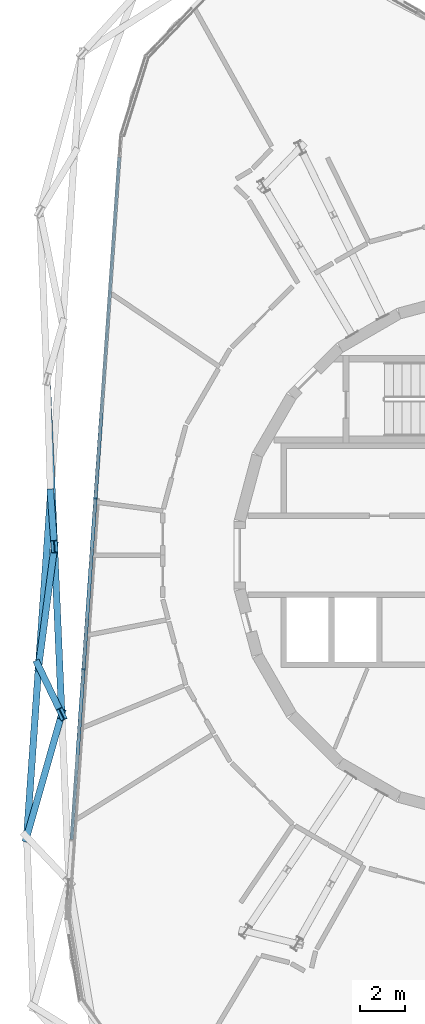
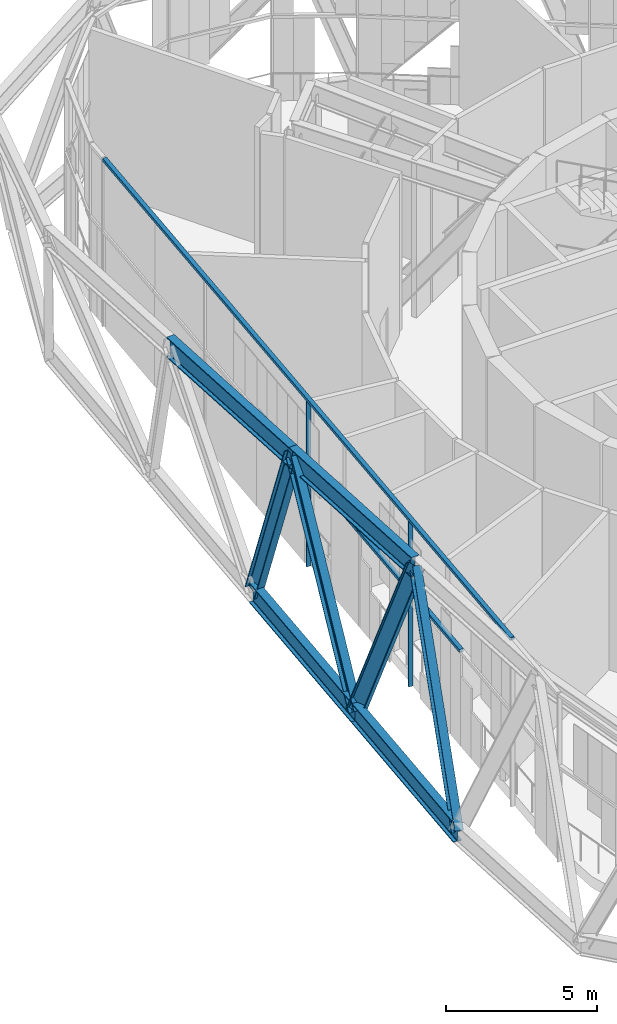
# One storey, part 3 of 24: 15 members, 1 element without a shape of its own.
"""IFC4 building model written with IfcOpenShell, lengths in metres."""

from ifc_helpers import new_model, si_unit, direction, frame, origin, origin_2d, place, context, subcontext, project, spatial, rectangle, i_section, extrude, material, layer, layer_set, material_profile, profile_set, type_object, element, aggregate, save


model = new_model("IFC4")

# Units and contexts
model_context = context("Model", 3, precision=1e-05, world=origin(), true_north=direction((0.0, 1.0)))
body_context = subcontext(model_context, "Body", "Model", "MODEL_VIEW")
ifc_project = project(units=[si_unit("LENGTHUNIT", "METRE"), si_unit("AREAUNIT", "SQUARE_METRE"), si_unit("VOLUMEUNIT", "CUBIC_METRE"), si_unit("PLANEANGLEUNIT", "RADIAN"), si_unit("MASSUNIT", "GRAM", prefix="KILO")], contexts=[model_context])

# Site, building, storey
site_placement = place(None, origin())
site = spatial("IfcSite", under=ifc_project, at=site_placement, CompositionType="ELEMENT")
building_placement = place(site_placement, origin())
building = spatial("IfcBuilding", under=site, at=building_placement, Name="Spindle Arch Residences", CompositionType="ELEMENT")
storey_placement = place(building_placement, frame((0.0, 0.0, 219.89990234375)))
storey = spatial("IfcBuildingStorey", under=building, at=storey_placement, Name="L56", CompositionType="ELEMENT", Elevation=219.89990234375)

# Members
ifc_material_1 = material(Name="Steel S460ML, intumescent coating R 240", Category="steel")
ifc_material_profile_1 = material_profile(ifc_material_1, i_section(OverallWidth=0.302978515625, OverallDepth=0.81396484375, WebThickness=0.02099609375, FlangeThickness=0.0400390625, FilletRadius=0.030029296875, at=origin_2d()), Name="HEM 800")
ifc_profile_set_1 = profile_set([ifc_material_profile_1], Name="Steel S460ML, intumescent coating R 240")
member_type_1 = type_object("IfcMemberType", Name="Belt truss chord HEM 800", PredefinedType="CHORD", material=ifc_profile_set_1)
member_1_placement = place(storey_placement, frame((-20.141845703125, 2.69384765625, -0.85693359375), z_axis=(-0.069778919569, -0.997562480441, 0.0), x_axis=(0.997562480441, -0.069778919569, 0.0)))
element("IfcMember", 1, at=member_1_placement, inside=storey, type_object=member_type_1, Name="Belt truss bottom chord L56.15", PredefinedType="CHORD", context=body_context, shape_type="SweptSolid", body=[
    extrude(i_section(OverallWidth=0.302978515625, OverallDepth=0.81396484375, WebThickness=0.02099609375, FlangeThickness=0.0400390625, FilletRadius=0.030029296875, at=origin_2d()), origin(), (0.0, 0.0, 1.0), 7.69384765625),
])
member_2_placement = place(storey_placement, frame((-20.6787109375, -4.981201171875, -0.85693359375), z_axis=(-0.069749549772, -0.997564534407, 0.0), x_axis=(0.997564534407, -0.069749549772, 0.0)))
element("IfcMember", 2, at=member_2_placement, inside=storey, type_object=member_type_1, Name="Belt truss bottom chord L56.16", PredefinedType="CHORD", context=body_context, shape_type="SweptSolid", body=[
    extrude(i_section(OverallWidth=0.302978515625, OverallDepth=0.81396484375, WebThickness=0.02099609375, FlangeThickness=0.0400390625, FilletRadius=0.030029296875, at=origin_2d()), origin(), (0.0, 0.0, 1.0), 7.693603515625),
])
for number, where, z_axis, x_axis, name in (
    (3, (-20.298583984375, 7.9072265625, 5.943115234375), (0.043607469261, -0.999048741866, 0.0), (0.999048741866, 0.043607469261, 0.0), "Belt truss top chord L56.14"),
    (4, (-19.97021484375, 0.38427734375, 5.943115234375), (0.043639829449, -0.999047328852, 0.0), (0.999047328852, 0.043639829449, 0.0), "Belt truss top chord L56.15"),
):
    element("IfcMember", number, at=place(storey_placement, frame(where, z_axis=z_axis, x_axis=x_axis)), inside=storey, type_object=member_type_1, Name=name, PredefinedType="CHORD", context=body_context, shape_type="SweptSolid", body=[
        extrude(i_section(OverallWidth=0.302978515625, OverallDepth=0.81396484375, WebThickness=0.02099609375, FlangeThickness=0.0400390625, FilletRadius=0.030029296875, at=origin_2d()), origin(), (0.0, 0.0, 1.0), 7.530029296875),
    ])
ifc_material_2 = material(Name="Steel S460ML, intumescent coating R 240", Category="steel")
ifc_material_profile_2 = material_profile(ifc_material_2, i_section(OverallWidth=0.300048828125, OverallDepth=0.60009765625, WebThickness=0.015380859375, FlangeThickness=0.030029296875, FilletRadius=0.027099609375, at=origin_2d()), Name="HEB 600")
ifc_profile_set_2 = profile_set([ifc_material_profile_2], Name="Steel S460ML, intumescent coating R 240")
member_type_2 = type_object("IfcMemberType", Name="Belt truss diagonal HEB 600", PredefinedType="BRACE", material=ifc_profile_set_2)
member_3_placement = place(storey_placement, frame((-20.141845703125, 2.69384765625, -0.85693359375), z_axis=(0.02389201065, -0.321505577168, 0.946606219965), x_axis=(0.997250180702, 0.074108549369, 0.0)))
element("IfcMember", 5, at=member_3_placement, inside=storey, type_object=member_type_2, Name="Belt truss diagonal L56.15.15", PredefinedType="BRACE", context=body_context, shape_type="SweptSolid", body=[
    extrude(i_section(OverallWidth=0.300048828125, OverallDepth=0.60009765625, WebThickness=0.015380859375, FlangeThickness=0.030029296875, FilletRadius=0.027099609375, at=origin_2d()), origin(), (0.0, 0.0, 1.0), 7.18359375),
])
member_4_placement = place(storey_placement, frame((-20.6787109375, -4.981201171875, -0.85693359375), z_axis=(0.081522008335, 0.617370495238, 0.782437111701), x_axis=(-0.991394155778, 0.130910763074, 0.0)))
element("IfcMember", 6, at=member_4_placement, inside=storey, type_object=member_type_2, Name="Belt truss diagonal L56.15.16", PredefinedType="BRACE", context=body_context, shape_type="SweptSolid", body=[
    extrude(i_section(OverallWidth=0.300048828125, OverallDepth=0.60009765625, WebThickness=0.015380859375, FlangeThickness=0.030029296875, FilletRadius=0.027099609375, at=origin_2d()), origin(), (0.0, 0.0, 1.0), 8.69091796875),
])
member_5_placement = place(storey_placement, frame((-20.6787109375, -4.981201171875, -0.85693359375), z_axis=(0.143861397605, -0.299270991205, 0.943260712689), x_axis=(0.90127463477, 0.433248234526, 0.0)))
element("IfcMember", 7, at=member_5_placement, inside=storey, type_object=member_type_2, Name="Belt truss diagonal L56.16.16", PredefinedType="BRACE", context=body_context, shape_type="SweptSolid", body=[
    extrude(i_section(OverallWidth=0.300048828125, OverallDepth=0.60009765625, WebThickness=0.015380859375, FlangeThickness=0.030029296875, FilletRadius=0.027099609375, at=origin_2d()), origin(), (0.0, 0.0, 1.0), 7.208984375),
])
member_6_placement = place(storey_placement, frame((-21.21533203125, -12.656005859375, -0.85693359375), z_axis=(0.176881420471, 0.620127710396, 0.764300062731), x_axis=(-0.961645890375, 0.274293969174, 0.0)))
element("IfcMember", 8, at=member_6_placement, inside=storey, type_object=member_type_2, Name="Belt truss diagonal L56.16.17", PredefinedType="BRACE", context=body_context, shape_type="SweptSolid", body=[
    extrude(i_section(OverallWidth=0.300048828125, OverallDepth=0.60009765625, WebThickness=0.015380859375, FlangeThickness=0.030029296875, FilletRadius=0.027099609375, at=origin_2d()), origin(), (0.0, 0.0, 1.0), 8.89697265625),
])

# Curtain wall, members
ifc_material_3 = material(Name="Aluminium bronze unitised frame with tinted glass", Category="aluminium")
ifc_layer = layer(ifc_material_3, 0.159912109375)
ifc_layer_set = layer_set([ifc_layer], Name="CW-E double-height winter garden wall")
curtain_wall_type = type_object("IfcCurtainWallType", Name="CW-E double-height winter garden wall", PredefinedType="NOTDEFINED", material=ifc_layer_set)
curtain_wall_placement = place(storey_placement, origin())
curtain_wall = element("IfcCurtainWall", 9, at=curtain_wall_placement, inside=storey, type_object=curtain_wall_type, Name="CW-E L56 run 4", PredefinedType="NOTDEFINED")
ifc_material_4 = material(Name="Aluminium bronze anodised mullion", Category="aluminium")
ifc_material_profile_3 = material_profile(ifc_material_4, rectangle(XDim=0.159912109375, YDim=0.06005859375, at=origin_2d()), Name="MU 60x160")
ifc_profile_set_3 = profile_set([ifc_material_profile_3], Name="Aluminium bronze anodised mullion")
member_type_3 = type_object("IfcMemberType", Name="Bronze mullion 60x160", PredefinedType="MULLION", material=ifc_profile_set_3)
member_7_placement = place(storey_placement, frame((-18.126708984375, 2.552978515625, -0.449951171875), z_axis=(0.0, 0.0, 1.0), x_axis=(0.99756405026, -0.069756473744, 0.0)))
member_7 = element("IfcMember", 10, at=member_7_placement, type_object=member_type_3, Name="CW-E mullion 14", PredefinedType="MULLION", context=body_context, shape_type="SweptSolid", body=[
    extrude(rectangle(XDim=0.159912109375, YDim=0.06005859375, at=origin_2d()), origin(), (0.0, 0.0, 1.0), 6.679931640625),
])
member_8_placement = place(storey_placement, frame((-18.66357421875, -5.1220703125, -0.449951171875), z_axis=(0.0, 0.0, 1.0), x_axis=(0.99756405026, -0.069756473744, 0.0)))
member_8 = element("IfcMember", 11, at=member_8_placement, type_object=member_type_3, Name="CW-E mullion 15", PredefinedType="MULLION", context=body_context, shape_type="SweptSolid", body=[
    extrude(rectangle(XDim=0.159912109375, YDim=0.06005859375, at=origin_2d()), origin(), (0.0, 0.0, 1.0), 6.679931640625),
])
ifc_material_5 = material(Name="Aluminium bronze anodised transom", Category="aluminium")
ifc_material_profile_4 = material_profile(ifc_material_5, rectangle(XDim=0.159912109375, YDim=0.1201171875, at=origin_2d()), Name="TR 120x160")
ifc_profile_set_4 = profile_set([ifc_material_profile_4], Name="Aluminium bronze anodised transom")
member_type_4 = type_object("IfcMemberType", Name="Bronze transom 120x160", PredefinedType="USERDEFINED", material=ifc_profile_set_4)
member_9_placement = place(storey_placement, frame((-17.0556640625, 17.873046875, 6.2900390625), z_axis=(-0.069748921728, -0.997564578319, 0.0), x_axis=(0.997564578319, -0.069748921728, 0.0)))
member_9 = element("IfcMember", 12, at=member_9_placement, type_object=member_type_4, Name="CW-E transom 00", ObjectType="TRANSOM", PredefinedType="USERDEFINED", context=body_context, shape_type="SweptSolid", body=[
    extrude(rectangle(XDim=0.159912109375, YDim=0.1201171875, at=origin_2d()), origin(), (0.0, 0.0, 1.0), 30.71484375),
])
member_10_placement = place(storey_placement, frame((-17.8583984375, 6.390380859375, 3.400146484375), z_axis=(-0.069787751977, -0.99756186258, 0.0), x_axis=(0.99756186258, -0.069787751977, 0.0)))
member_10 = element("IfcMember", 13, at=member_10_placement, type_object=member_type_4, Name="CW-E transom 13Bm", ObjectType="TRANSOM", PredefinedType="USERDEFINED", context=body_context, shape_type="SweptSolid", body=[
    extrude(rectangle(XDim=0.159912109375, YDim=0.1201171875, at=origin_2d()), origin(), (0.0, 0.0, 1.0), 3.816650390625),
])
member_11_placement = place(storey_placement, frame((-18.12890625, 2.52294921875, 3.400146484375), z_axis=(-0.069787751977, -0.99756186258, 0.0), x_axis=(0.99756186258, -0.069787751977, 0.0)))
member_11 = element("IfcMember", 14, at=member_11_placement, type_object=member_type_4, Name="CW-E transom 14Am", ObjectType="TRANSOM", PredefinedType="USERDEFINED", context=body_context, shape_type="SweptSolid", body=[
    extrude(rectangle(XDim=0.159912109375, YDim=0.1201171875, at=origin_2d()), origin(), (0.0, 0.0, 1.0), 3.816650390625),
])
member_12_placement = place(storey_placement, frame((-18.395263671875, -1.284423828125, 3.400146484375), z_axis=(-0.069719647406, -0.997566624725, 0.0), x_axis=(0.997566624725, -0.069719647406, 0.0)))
member_12 = element("IfcMember", 15, at=member_12_placement, type_object=member_type_4, Name="CW-E transom 14Bm", ObjectType="TRANSOM", PredefinedType="USERDEFINED", context=body_context, shape_type="SweptSolid", body=[
    extrude(rectangle(XDim=0.159912109375, YDim=0.1201171875, at=origin_2d()), origin(), (0.0, 0.0, 1.0), 3.81689453125),
])
member_13_placement = place(storey_placement, frame((-18.66552734375, -5.15185546875, 3.400146484375), z_axis=(-0.069783299047, -0.997562174089, 0.0), x_axis=(0.997562174089, -0.069783299047, 0.0)))
member_13 = element("IfcMember", 16, at=member_13_placement, type_object=member_type_4, Name="CW-E transom 15Am", ObjectType="TRANSOM", PredefinedType="USERDEFINED", context=body_context, shape_type="SweptSolid", body=[
    extrude(rectangle(XDim=0.159912109375, YDim=0.1201171875, at=origin_2d()), origin(), (0.0, 0.0, 1.0), 3.81689453125),
])
aggregate(curtain_wall, [member_9, member_10, member_7, member_11, member_12, member_8, member_13])

save(model, "model.ifc")
